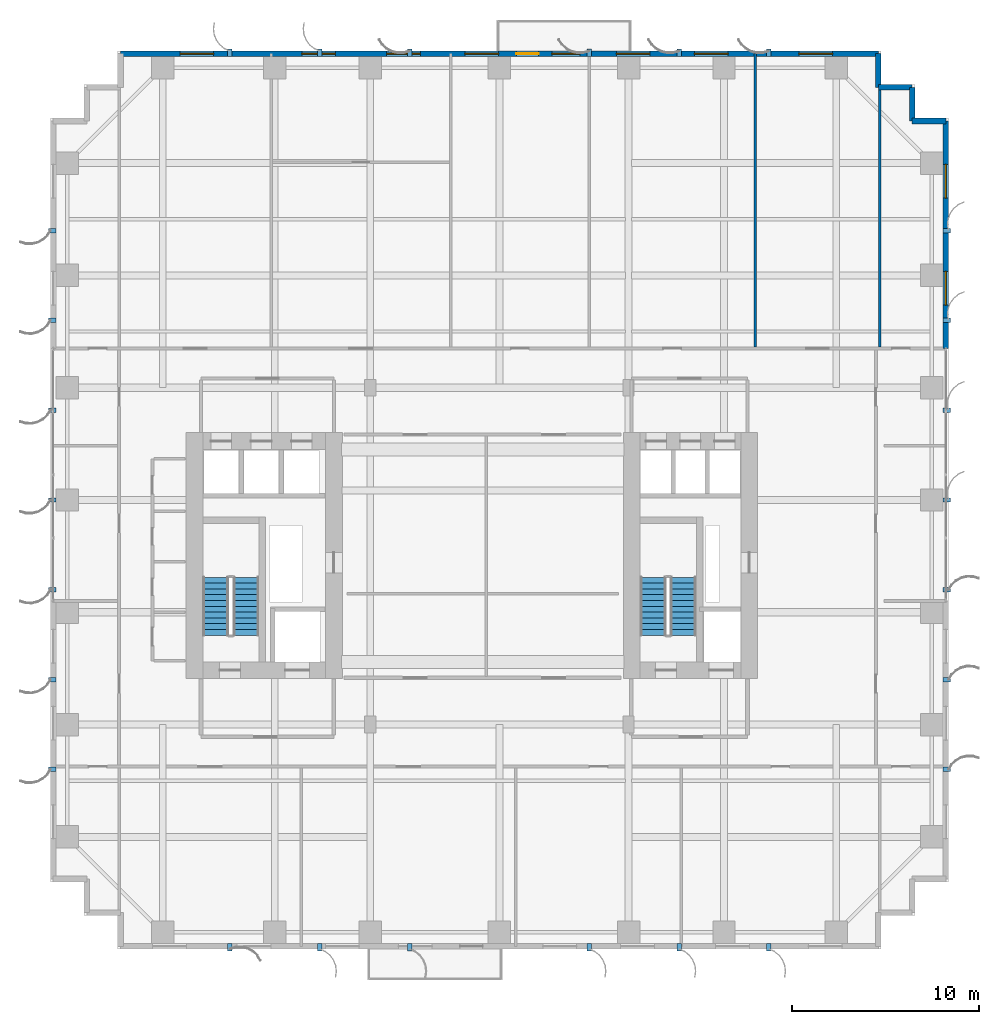
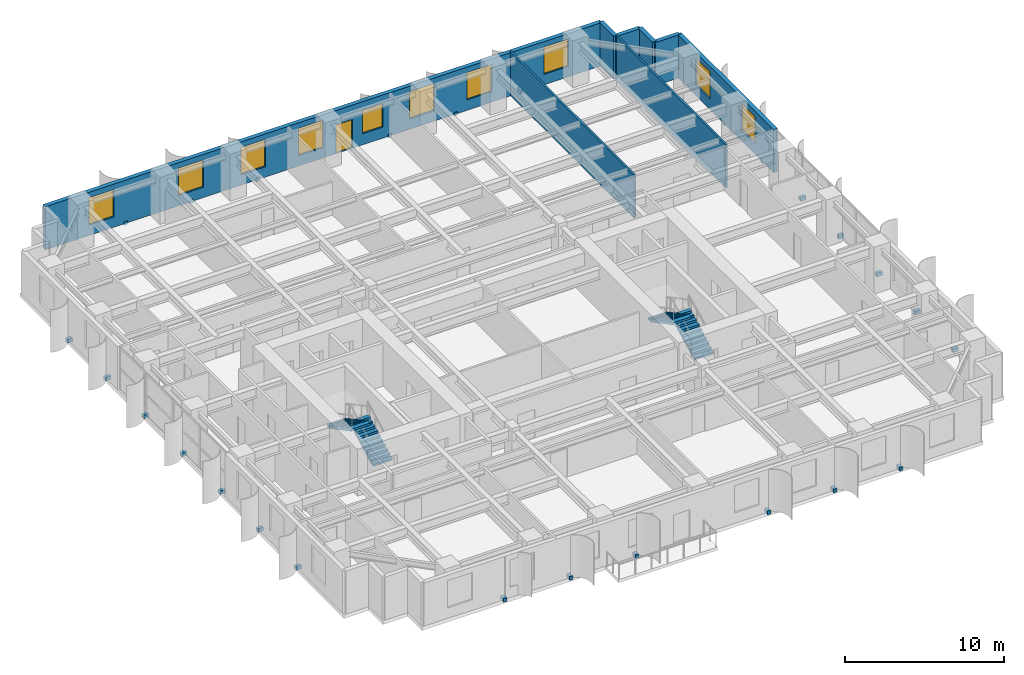
# One storey, part 12 of 16: 26 discrete accessories, 10 windows, 8 walls, 4 stair flights, 1 door, 11 openings, 2 elements without a shape of their own.
"""IFC4 building model written with IfcOpenShell, lengths in metres."""

import ifcopenshell
import ifcopenshell.guid

model = None  # the IFC model being written
_history = None  # IfcOwnerHistory: only IFC2X3 demands one
_inside = {}  # id of a spatial element -> (the spatial element, [elements in it])
_under = {}  # id of a project, library or spatial element -> (it, [spatial elements below it])
_declared = {}  # id of a project -> (the project, [libraries it declares])
_typed = {}  # id of a type object -> (the type object, [elements of that type])
_made_of = {}  # id of a material, layer set ... -> (it, [elements and type objects made of it])


def new_model(schema):
    """Start an empty IFC model of exactly this schema.

    Asked for "IFC4X3", IfcOpenShell would pick the latest addendum, in which some entities
    have other attributes; the version numbers below select the first issue.
    IFC2X3 requires an IfcOwnerHistory on every rooted entity: one is made here for all.
    """
    global model, _history
    if schema == "IFC4X3":
        model = ifcopenshell.file(schema_version=(4, 3, 0, 0))
    else:
        model = ifcopenshell.file(schema=schema)
    _inside.clear()
    _under.clear()
    _declared.clear()
    _typed.clear()
    _made_of.clear()
    _history = None
    if model.schema == "IFC2X3":
        org = make("IfcOrganization", Name="unknown")
        user = make(
            "IfcPersonAndOrganization",
            ThePerson=make("IfcPerson", FamilyName="unknown"),
            TheOrganization=org,
        )
        app = make(
            "IfcApplication",
            ApplicationDeveloper=org,
            Version="unknown",
            ApplicationFullName="unknown",
            ApplicationIdentifier="unknown",
        )
        _history = make(
            "IfcOwnerHistory",
            OwningUser=user,
            OwningApplication=app,
            ChangeAction="ADDED",
            CreationDate=0,
        )
    return model


def make(cls, **values):
    """One entity of the class cls with the attributes given. An attribute that is None is left unset."""
    return model.create_entity(
        cls, **{name: value for name, value in values.items() if value is not None}
    )


def rooted(cls, **values):
    """An entity with a GlobalId (a new one), such as an element, a storey or a relation."""
    return make(cls, GlobalId=ifcopenshell.guid.new(), OwnerHistory=_history, **values)


def si_unit(unit_type, name, prefix=None):
    """IfcSIUnit, for example si_unit("LENGTHUNIT", "METRE", prefix="MILLI")."""
    return make("IfcSIUnit", UnitType=unit_type, Prefix=prefix, Name=name)


def assignment(units):
    """IfcUnitAssignment: the units of a project."""
    return None if units is None else make("IfcUnitAssignment", Units=units)


def point(xyz):
    """IfcCartesianPoint."""
    return None if xyz is None else make("IfcCartesianPoint", Coordinates=xyz)


def direction(xyz):
    """IfcDirection."""
    return None if xyz is None else make("IfcDirection", DirectionRatios=xyz)


def frame(location, z_axis=None, x_axis=None):
    """IfcAxis2Placement3D, a coordinate frame: its origin and axes. An axis left out is left unset."""
    return make(
        "IfcAxis2Placement3D",
        Location=point(location),
        Axis=direction(z_axis),
        RefDirection=direction(x_axis),
    )


def frame_2d(location, x_axis=None):
    """IfcAxis2Placement2D, a coordinate frame in the plane: its origin and x axis."""
    return make(
        "IfcAxis2Placement2D", Location=point(location), RefDirection=direction(x_axis)
    )


def origin():
    """The frame at (0, 0, 0) with its axes left unset."""
    return frame((0.0, 0.0, 0.0))


def origin_2d():
    """The frame at (0, 0) in the plane with its x axis left unset."""
    return frame_2d((0.0, 0.0))


def place(relative_to, where):
    """IfcLocalPlacement: puts the frame where relative to a parent placement (None: the world)."""
    return make(
        "IfcLocalPlacement", PlacementRelTo=relative_to, RelativePlacement=where
    )


def context(
    kind, dimensions, precision=None, world=None, true_north=None, identifier=None
):
    """IfcGeometricRepresentationContext, for example the 3D "Model" context."""
    return make(
        "IfcGeometricRepresentationContext",
        ContextIdentifier=identifier,
        ContextType=kind,
        CoordinateSpaceDimension=dimensions,
        Precision=precision,
        WorldCoordinateSystem=world,
        TrueNorth=true_north,
    )


def subcontext(parent, identifier, kind, view, scale=None):
    """IfcGeometricRepresentationSubContext, for example "Body" below "Model"."""
    return make(
        "IfcGeometricRepresentationSubContext",
        ContextIdentifier=identifier,
        ContextType=kind,
        ParentContext=parent,
        TargetScale=scale,
        TargetView=view,
    )


def project(units=None, contexts=None):
    """IfcProject with its units and contexts."""
    return rooted(
        "IfcProject",
        Name="project",
        RepresentationContexts=contexts,
        UnitsInContext=assignment(units),
    )


def spatial(cls, under=None, at=None, **own):
    """A site, building, storey or space (cls), placed at a placement, below another one or the project."""
    s = rooted(cls, ObjectPlacement=at, **own)
    if under is not None:
        _under.setdefault(under.id(), (under, []))[1].append(s)
    return s


def polyline(points):
    """IfcPolyline through the points."""
    return make("IfcPolyline", Points=[point(p) for p in points])


def profile(cls, at=None, kind="AREA", **sizes):
    """A parametric profile (cls). Its sizes go by their IFC names, for example OverallWidth=200.0."""
    return make(cls, ProfileType=kind, Position=at, **sizes)


def rectangle(**sizes):
    """IfcRectangleProfileDef."""
    return profile("IfcRectangleProfileDef", **sizes)


def outline(outer, holes=None, kind="AREA"):
    """IfcArbitraryClosedProfileDef: a profile drawn as a closed curve; with holes, ...WithVoids."""
    if holes is None:
        return make("IfcArbitraryClosedProfileDef", ProfileType=kind, OuterCurve=outer)
    return make(
        "IfcArbitraryProfileDefWithVoids",
        ProfileType=kind,
        OuterCurve=outer,
        InnerCurves=holes,
    )


def extrude(swept, where, along, depth):
    """IfcExtrudedAreaSolid: the profile swept, set in the frame where, extruded along a direction by depth."""
    return make(
        "IfcExtrudedAreaSolid",
        SweptArea=swept,
        Position=where,
        ExtrudedDirection=direction(along),
        Depth=depth,
    )


def shape(context_of_items, identifier, shape_type, items):
    """IfcShapeRepresentation: the items that make up one representation, for example the "Body"."""
    return make(
        "IfcShapeRepresentation",
        ContextOfItems=context_of_items,
        RepresentationIdentifier=identifier,
        RepresentationType=shape_type,
        Items=items,
    )


def source(mapping_origin, context_of_items, identifier, shape_type, items):
    """IfcRepresentationMap: a shape defined once, which mapped items show again and again."""
    return make(
        "IfcRepresentationMap",
        MappingOrigin=mapping_origin,
        MappedRepresentation=shape(context_of_items, identifier, shape_type, items),
    )


def transform(
    local_origin,
    x_axis=None,
    y_axis=None,
    z_axis=None,
    scale=None,
    scale2=None,
    scale3=None,
    uniform=True,
):
    """IfcCartesianTransformationOperator3D, or its non-uniform kind. x_axis, y_axis, z_axis: its Axis1, 2, 3."""
    if uniform:
        return make(
            "IfcCartesianTransformationOperator3D",
            Axis1=direction(x_axis),
            Axis2=direction(y_axis),
            LocalOrigin=point(local_origin),
            Scale=scale,
            Axis3=direction(z_axis),
        )
    return make(
        "IfcCartesianTransformationOperator3DnonUniform",
        Axis1=direction(x_axis),
        Axis2=direction(y_axis),
        LocalOrigin=point(local_origin),
        Scale=scale,
        Axis3=direction(z_axis),
        Scale2=scale2,
        Scale3=scale3,
    )


def mapped(mapping_source, mapping_target):
    """IfcMappedItem: shows the shape of a source again, moved by a transform."""
    return make(
        "IfcMappedItem", MappingSource=mapping_source, MappingTarget=mapping_target
    )


def material(Name=None, Category=None):
    """IfcMaterial."""
    return make("IfcMaterial", Name=Name, Category=Category)


def layer(
    of_material, thickness, ventilated=None, Name=None, Category=None, Priority=None
):
    """IfcMaterialLayer: one layer of a wall or slab, of a material (None: an air gap)."""
    return make(
        "IfcMaterialLayer",
        Material=of_material,
        LayerThickness=thickness,
        IsVentilated=ventilated,
        Name=Name,
        Category=Category,
        Priority=Priority,
    )


def layer_set(layers, Name=None):
    """IfcMaterialLayerSet."""
    return make("IfcMaterialLayerSet", MaterialLayers=layers, LayerSetName=Name)


def made_of(thing, what):
    """Note that an element or type object is made of a material, layer set ...; save() writes the relation."""
    if what is not None:
        _made_of.setdefault(what.id(), (what, []))[1].append(thing)
    return thing


def type_object(cls, material=None, **own):
    """A type object (cls), such as IfcWallType, which elements share."""
    return made_of(rooted(cls, **own), material)


def element(
    cls,
    number,
    at=None,
    inside=None,
    cuts=None,
    type_object=None,
    material=None,
    context=None,
    identifier="Body",
    shape_type=None,
    held_by="IfcProductDefinitionShape",
    body=None,
    shapes=None,
    **own,
):
    """One element of the class cls, such as IfcWall. Its Tag is "e" and its number.

    at: its placement. inside: the storey or other place that contains it. cuts: it is an
    opening in that element (IfcRelVoidsElement). A single representation is given by context,
    identifier, shape_type and body (its items); several are given by shapes. held_by: the class
    of the entity that holds the representations. save() writes the other relations.
    """
    e = rooted(cls, Tag="e%d" % number, ObjectPlacement=at, **own)
    if body is not None:
        shapes = [shape(context, identifier, shape_type, body)]
    if shapes is not None:
        e.Representation = make(held_by, Representations=shapes)
    if inside is not None:
        _inside.setdefault(inside.id(), (inside, []))[1].append(e)
    if cuts is not None:
        rooted(
            "IfcRelVoidsElement", RelatingBuildingElement=cuts, RelatedOpeningElement=e
        )
    if type_object is not None:
        _typed.setdefault(type_object.id(), (type_object, []))[1].append(e)
    return made_of(e, material)


def fill(opening, filler):
    """IfcRelFillsElement: the door or window that sits in an opening."""
    return rooted(
        "IfcRelFillsElement",
        RelatingOpeningElement=opening,
        RelatedBuildingElement=filler,
    )


def aggregate(whole, parts):
    """IfcRelAggregates: a whole, such as a stair, and the parts it consists of."""
    return rooted("IfcRelAggregates", RelatingObject=whole, RelatedObjects=parts)


def save(model, path):
    """Write the relations noted so far, then the file.

    IfcRelAggregates (storeys below a building ...), IfcRelContainedInSpatialStructure (elements
    in a storey), IfcRelDefinesByType, IfcRelAssociatesMaterial and IfcRelDeclares: one each for
    every whole, place, type object, material and project.
    """
    for whole, parts in _under.values():
        aggregate(whole, parts)
    for where, things in _inside.values():
        rooted(
            "IfcRelContainedInSpatialStructure",
            RelatedElements=things,
            RelatingStructure=where,
        )
    for kind, things in _typed.values():
        rooted("IfcRelDefinesByType", RelatedObjects=things, RelatingType=kind)
    for what, things in _made_of.values():
        rooted("IfcRelAssociatesMaterial", RelatedObjects=things, RelatingMaterial=what)
    for by, libraries in _declared.values():
        rooted("IfcRelDeclares", RelatingContext=by, RelatedDefinitions=libraries)
    model.write(path)


model = new_model("IFC4")

# Units and contexts
model_context = context("Model", 3, precision=1e-05, world=origin(), true_north=direction((0.0, 1.0)))
body_context = subcontext(model_context, "Body", "Model", "MODEL_VIEW")
ifc_project = project(units=[si_unit("LENGTHUNIT", "METRE"), si_unit("AREAUNIT", "SQUARE_METRE"), si_unit("VOLUMEUNIT", "CUBIC_METRE"), si_unit("PLANEANGLEUNIT", "RADIAN"), si_unit("MASSUNIT", "GRAM", prefix="KILO")], contexts=[model_context])

# Site, building, storey
site_placement = place(None, origin())
site = spatial("IfcSite", under=ifc_project, at=site_placement, CompositionType="ELEMENT")
building_placement = place(site_placement, origin())
building = spatial("IfcBuilding", under=site, at=building_placement, Name="Khoralis Quay Care Tower", CompositionType="ELEMENT")
storey_placement = place(building_placement, frame((0.0, 0.0, 29.699951171875)))
storey = spatial("IfcBuildingStorey", under=building, at=storey_placement, Name="L07", CompositionType="ELEMENT", Elevation=29.699951171875)

# Wall, openings, windows
ifc_material_1 = material(Name="Precast concrete C45/55", Category="concrete")
ifc_layer_1 = layer(ifc_material_1, 0.300048828125)
ifc_layer_set_1 = layer_set([ifc_layer_1], Name="Precast concrete C45/55")
wall_type_1 = type_object("IfcWallType", Name="WL-EXT-REF-300", PredefinedType="SOLIDWALL", material=ifc_layer_set_1)
wall_1_placement = place(storey_placement, frame((47.85009765625, 32.10009765625, 0.0), z_axis=(0.0, 0.0, 1.0), x_axis=(0.0, 1.0, 0.0)))
wall_1 = element("IfcWall", 1, at=wall_1_placement, inside=storey, type_object=wall_type_1, Name="L07 External Facade Wall WL-EXT-L07-P1-E5B", PredefinedType="SOLIDWALL", context=body_context, shape_type="SweptSolid", body=[
    extrude(rectangle(XDim=12.14990234375, YDim=0.300048828125, at=frame_2d((6.074951171875, 0.0))), origin(), (0.0, 0.0, 1.0), 3.320068359375),
])
opening_1_placement = place(wall_1_placement, frame((2.3173828125, 0.0, 0.800048828125)))
opening_1 = element("IfcOpeningElement", 2, at=opening_1_placement, cuts=wall_1, Name="Opening W2", PredefinedType="OPENING", context=body_context, shape_type="SweptSolid", body=[
    extrude(rectangle(XDim=1.800048828125, YDim=2.10009765625, at=frame_2d((0.89990234375, 1.050048828125))), frame((0.0, 0.16015625, 0.0), z_axis=(0.0, -1.0, 0.0), x_axis=(1.0, 0.0, 0.0)), (0.0, 0.0, 1.0), 0.320068359375),
])
opening_2_placement = place(wall_1_placement, frame((8.032470703125, 0.0, 0.800048828125)))
opening_2 = element("IfcOpeningElement", 3, at=opening_2_placement, cuts=wall_1, Name="Opening W2", PredefinedType="OPENING", context=body_context, shape_type="SweptSolid", body=[
    extrude(rectangle(XDim=1.800048828125, YDim=2.10009765625, at=frame_2d((0.89990234375, 1.050048828125))), frame((0.0, 0.16015625, 0.0), z_axis=(0.0, -1.0, 0.0), x_axis=(1.0, 0.0, 0.0)), (0.0, 0.0, 1.0), 0.320068359375),
])
ifc_material_2 = material(Name="Low-E solar-control double glazing", Category="glass")
window_type_1 = type_object("IfcWindowType", Name="WN-POD-1800X2100", PartitioningType="SINGLE_PANEL", PredefinedType="WINDOW", material=ifc_material_2)
shared_shape_1 = source(origin(), body_context, "Body", "SweptSolid", [
    extrude(rectangle(XDim=1.800048828125, YDim=2.10009765625, at=frame_2d((0.89990234375, 1.050048828125))), frame((0.0, 0.030029296875, 0.0), z_axis=(0.0, -1.0, 0.0), x_axis=(1.0, 0.0, 0.0)), (0.0, 0.0, 1.0), 0.06005859375),
])
window_1_placement = place(opening_1_placement, origin())
window_1 = element("IfcWindow", 4, at=window_1_placement, inside=storey, type_object=window_type_1, Name="WN-L07-P1-E5B Facade Window 01", OverallHeight=2.10009765625, OverallWidth=1.800048828125, PartitioningType="SINGLE_PANEL", PredefinedType="WINDOW", context=body_context, shape_type="MappedRepresentation", body=[
    mapped(shared_shape_1, transform((0.0, 0.0, 0.0), scale=1.0)),
])
fill(opening_1, window_1)
window_2_placement = place(opening_2_placement, origin())
window_2 = element("IfcWindow", 5, at=window_2_placement, inside=storey, type_object=window_type_1, Name="WN-L07-P1-E5B Facade Window 02", OverallHeight=2.10009765625, OverallWidth=1.800048828125, PartitioningType="SINGLE_PANEL", PredefinedType="WINDOW", context=body_context, shape_type="MappedRepresentation", body=[
    mapped(shared_shape_1, transform((0.0, 0.0, 0.0), scale=1.0)),
])
fill(opening_2, window_2)

# Walls
for number, where, z_axis, x_axis, name in (
    (6, (47.85009765625, 44.25, 0.0), (0.0, 0.0, 1.0), (-1.0, 0.0, 0.0), "L07 External Facade Wall WL-EXT-L07-P1-C6"),
    (7, (46.050048828125, 44.25, 0.0), (0.0, 0.0, 1.0), (0.0, 1.0, 0.0), "L07 External Facade Wall WL-EXT-L07-P1-C7"),
    (8, (46.050048828125, 46.050048828125, 0.0), (0.0, 0.0, 1.0), (-1.0, 0.0, 0.0), "L07 External Facade Wall WL-EXT-L07-P1-C8"),
    (9, (44.25, 46.050048828125, 0.0), (0.0, 0.0, 1.0), (0.0, 1.0, 0.0), "L07 External Facade Wall WL-EXT-L07-P1-C9"),
):
    element("IfcWall", number, at=place(storey_placement, frame(where, z_axis=z_axis, x_axis=x_axis)), inside=storey, type_object=wall_type_1, Name=name, PredefinedType="SOLIDWALL", context=body_context, shape_type="SweptSolid", body=[
        extrude(rectangle(XDim=1.800048828125, YDim=0.300048828125, at=frame_2d((0.89990234375, 0.0))), origin(), (0.0, 0.0, 1.0), 3.320068359375),
    ])

# Wall, openings, windows, door
wall_2_placement = place(storey_placement, frame((44.25, 47.85009765625, 0.0), z_axis=(0.0, 0.0, 1.0), x_axis=(-1.0, 0.0, 0.0)))
wall_2 = element("IfcWall", 10, at=wall_2_placement, inside=storey, type_object=wall_type_1, Name="L07 External Facade Wall WL-EXT-L07-P1-E10", PredefinedType="SOLIDWALL", context=body_context, shape_type="SweptSolid", body=[
    extrude(rectangle(XDim=40.5, YDim=0.300048828125, at=frame_2d((20.25, 0.0))), origin(), (0.0, 0.0, 1.0), 3.320068359375),
])
opening_3_placement = place(wall_2_placement, frame((2.445068359375, 0.0, 0.800048828125)))
opening_3 = element("IfcOpeningElement", 11, at=opening_3_placement, cuts=wall_2, Name="Opening W2", PredefinedType="OPENING", context=body_context, shape_type="SweptSolid", body=[
    extrude(rectangle(XDim=1.800048828125, YDim=2.10009765625, at=frame_2d((0.89990234375, 1.050048828125))), frame((0.0, 0.16015625, 0.0), z_axis=(0.0, -1.0, 0.0), x_axis=(1.0, 0.0, 0.0)), (0.0, 0.0, 1.0), 0.320068359375),
])
opening_4_placement = place(wall_2_placement, frame((8.034912109375, 0.0, 0.800048828125)))
opening_4 = element("IfcOpeningElement", 12, at=opening_4_placement, cuts=wall_2, Name="Opening W2", PredefinedType="OPENING", context=body_context, shape_type="SweptSolid", body=[
    extrude(rectangle(XDim=1.800048828125, YDim=2.10009765625, at=frame_2d((0.89990234375, 1.050048828125))), frame((0.0, 0.16015625, 0.0), z_axis=(0.0, -1.0, 0.0), x_axis=(1.0, 0.0, 0.0)), (0.0, 0.0, 1.0), 0.320068359375),
])
opening_5_placement = place(wall_2_placement, frame((12.205078125, 0.0, 0.800048828125)))
opening_5 = element("IfcOpeningElement", 13, at=opening_5_placement, cuts=wall_2, Name="Opening W2", PredefinedType="OPENING", context=body_context, shape_type="SweptSolid", body=[
    extrude(rectangle(XDim=1.800048828125, YDim=2.10009765625, at=frame_2d((0.89990234375, 1.050048828125))), frame((0.0, 0.16015625, 0.0), z_axis=(0.0, -1.0, 0.0), x_axis=(1.0, 0.0, 0.0)), (0.0, 0.0, 1.0), 0.320068359375),
])
opening_6_placement = place(wall_2_placement, frame((15.955078125, 0.0, 0.85009765625)))
opening_6 = element("IfcOpeningElement", 14, at=opening_6_placement, cuts=wall_2, Name="Opening W3", PredefinedType="OPENING", context=body_context, shape_type="SweptSolid", body=[
    extrude(rectangle(XDim=1.5, YDim=1.800048828125, at=frame_2d((0.75, 0.89990234375))), frame((0.0, 0.16015625, 0.0), z_axis=(0.0, -1.0, 0.0), x_axis=(1.0, 0.0, 0.0)), (0.0, 0.0, 1.0), 0.320068359375),
])
opening_7_placement = place(wall_2_placement, frame((20.294921875, 0.0, 0.800048828125)))
opening_7 = element("IfcOpeningElement", 15, at=opening_7_placement, cuts=wall_2, Name="Opening W2", PredefinedType="OPENING", context=body_context, shape_type="SweptSolid", body=[
    extrude(rectangle(XDim=1.800048828125, YDim=2.10009765625, at=frame_2d((0.89990234375, 1.050048828125))), frame((0.0, 0.16015625, 0.0), z_axis=(0.0, -1.0, 0.0), x_axis=(1.0, 0.0, 0.0)), (0.0, 0.0, 1.0), 0.320068359375),
])
opening_8_placement = place(wall_2_placement, frame((24.4775390625, 0.0, 0.800048828125)))
opening_8 = element("IfcOpeningElement", 16, at=opening_8_placement, cuts=wall_2, Name="Opening W2", PredefinedType="OPENING", context=body_context, shape_type="SweptSolid", body=[
    extrude(rectangle(XDim=1.800048828125, YDim=2.10009765625, at=frame_2d((0.89990234375, 1.050048828125))), frame((0.0, 0.16015625, 0.0), z_axis=(0.0, -1.0, 0.0), x_axis=(1.0, 0.0, 0.0)), (0.0, 0.0, 1.0), 0.320068359375),
])
opening_9_placement = place(wall_2_placement, frame((29.012451171875, 0.0, 0.800048828125)))
opening_9 = element("IfcOpeningElement", 17, at=opening_9_placement, cuts=wall_2, Name="Opening W2", PredefinedType="OPENING", context=body_context, shape_type="SweptSolid", body=[
    extrude(rectangle(XDim=1.800048828125, YDim=2.10009765625, at=frame_2d((0.89990234375, 1.050048828125))), frame((0.0, 0.16015625, 0.0), z_axis=(0.0, -1.0, 0.0), x_axis=(1.0, 0.0, 0.0)), (0.0, 0.0, 1.0), 0.320068359375),
])
opening_10_placement = place(wall_2_placement, frame((35.52001953125, 0.0, 0.800048828125)))
opening_10 = element("IfcOpeningElement", 18, at=opening_10_placement, cuts=wall_2, Name="Opening W2", PredefinedType="OPENING", context=body_context, shape_type="SweptSolid", body=[
    extrude(rectangle(XDim=1.800048828125, YDim=2.10009765625, at=frame_2d((0.89990234375, 1.050048828125))), frame((0.0, 0.16015625, 0.0), z_axis=(0.0, -1.0, 0.0), x_axis=(1.0, 0.0, 0.0)), (0.0, 0.0, 1.0), 0.320068359375),
])
opening_11_placement = place(wall_2_placement, frame((18.14990234375, 0.0, 0.0)))
opening_11 = element("IfcOpeningElement", 19, at=opening_11_placement, cuts=wall_2, Name="Opening BD1", PredefinedType="OPENING", context=body_context, shape_type="SweptSolid", body=[
    extrude(rectangle(XDim=1.199951171875, YDim=2.199951171875, at=frame_2d((0.60009765625, 1.10009765625))), frame((0.0, 0.16015625, 0.0), z_axis=(0.0, -1.0, 0.0), x_axis=(1.0, 0.0, 0.0)), (0.0, 0.0, 1.0), 0.320068359375),
])
window_type_2 = type_object("IfcWindowType", Name="WN-CLIN-1500X1800", PartitioningType="SINGLE_PANEL", PredefinedType="WINDOW", material=ifc_material_2)
shared_shape_2 = source(origin(), body_context, "Body", "SweptSolid", [
    extrude(rectangle(XDim=1.5, YDim=1.800048828125, at=frame_2d((0.75, 0.89990234375))), frame((0.0, 0.030029296875, 0.0), z_axis=(0.0, -1.0, 0.0), x_axis=(1.0, 0.0, 0.0)), (0.0, 0.0, 1.0), 0.06005859375),
])
window_3_placement = place(opening_6_placement, origin())
window_3 = element("IfcWindow", 20, at=window_3_placement, inside=storey, type_object=window_type_2, Name="WN-L07-P1-E10 Facade Window 04", OverallHeight=1.800048828125, OverallWidth=1.5, PartitioningType="SINGLE_PANEL", PredefinedType="WINDOW", context=body_context, shape_type="MappedRepresentation", body=[
    mapped(shared_shape_2, transform((0.0, 0.0, 0.0), scale=1.0)),
])
fill(opening_6, window_3)
window_4_placement = place(opening_3_placement, origin())
window_4 = element("IfcWindow", 21, at=window_4_placement, inside=storey, type_object=window_type_1, Name="WN-L07-P1-E10 Facade Window 01", OverallHeight=2.10009765625, OverallWidth=1.800048828125, PartitioningType="SINGLE_PANEL", PredefinedType="WINDOW", context=body_context, shape_type="MappedRepresentation", body=[
    mapped(shared_shape_1, transform((0.0, 0.0, 0.0), scale=1.0)),
])
fill(opening_3, window_4)
window_5_placement = place(opening_4_placement, origin())
window_5 = element("IfcWindow", 22, at=window_5_placement, inside=storey, type_object=window_type_1, Name="WN-L07-P1-E10 Facade Window 02", OverallHeight=2.10009765625, OverallWidth=1.800048828125, PartitioningType="SINGLE_PANEL", PredefinedType="WINDOW", context=body_context, shape_type="MappedRepresentation", body=[
    mapped(shared_shape_1, transform((0.0, 0.0, 0.0), scale=1.0)),
])
fill(opening_4, window_5)
window_6_placement = place(opening_5_placement, origin())
window_6 = element("IfcWindow", 23, at=window_6_placement, inside=storey, type_object=window_type_1, Name="WN-L07-P1-E10 Facade Window 03", OverallHeight=2.10009765625, OverallWidth=1.800048828125, PartitioningType="SINGLE_PANEL", PredefinedType="WINDOW", context=body_context, shape_type="MappedRepresentation", body=[
    mapped(shared_shape_1, transform((0.0, 0.0, 0.0), scale=1.0)),
])
fill(opening_5, window_6)
window_7_placement = place(opening_7_placement, origin())
window_7 = element("IfcWindow", 24, at=window_7_placement, inside=storey, type_object=window_type_1, Name="WN-L07-P1-E10 Facade Window 05", OverallHeight=2.10009765625, OverallWidth=1.800048828125, PartitioningType="SINGLE_PANEL", PredefinedType="WINDOW", context=body_context, shape_type="MappedRepresentation", body=[
    mapped(shared_shape_1, transform((0.0, 0.0, 0.0), scale=1.0)),
])
fill(opening_7, window_7)
window_8_placement = place(opening_8_placement, origin())
window_8 = element("IfcWindow", 25, at=window_8_placement, inside=storey, type_object=window_type_1, Name="WN-L07-P1-E10 Facade Window 06", OverallHeight=2.10009765625, OverallWidth=1.800048828125, PartitioningType="SINGLE_PANEL", PredefinedType="WINDOW", context=body_context, shape_type="MappedRepresentation", body=[
    mapped(shared_shape_1, transform((0.0, 0.0, 0.0), scale=1.0)),
])
fill(opening_8, window_8)
window_9_placement = place(opening_9_placement, origin())
window_9 = element("IfcWindow", 26, at=window_9_placement, inside=storey, type_object=window_type_1, Name="WN-L07-P1-E10 Facade Window 07", OverallHeight=2.10009765625, OverallWidth=1.800048828125, PartitioningType="SINGLE_PANEL", PredefinedType="WINDOW", context=body_context, shape_type="MappedRepresentation", body=[
    mapped(shared_shape_1, transform((0.0, 0.0, 0.0), scale=1.0)),
])
fill(opening_9, window_9)
window_10_placement = place(opening_10_placement, origin())
window_10 = element("IfcWindow", 27, at=window_10_placement, inside=storey, type_object=window_type_1, Name="WN-L07-P1-E10 Facade Window 08", OverallHeight=2.10009765625, OverallWidth=1.800048828125, PartitioningType="SINGLE_PANEL", PredefinedType="WINDOW", context=body_context, shape_type="MappedRepresentation", body=[
    mapped(shared_shape_1, transform((0.0, 0.0, 0.0), scale=1.0)),
])
fill(opening_10, window_10)
ifc_material_3 = material(Name="Anodised aluminium and laminated safety glass", Category="aluminium")
door_type = type_object("IfcDoorType", Name="DR-EXT-BALC-1200X2200", OperationType="NOTDEFINED", PredefinedType="DOOR", material=ifc_material_3)
shared_shape_3 = source(origin(), body_context, "Body", "SweptSolid", [
    extrude(rectangle(XDim=1.199951171875, YDim=2.199951171875, at=frame_2d((0.60009765625, 1.10009765625))), frame((0.0, 0.02490234375, 0.0), z_axis=(0.0, -1.0, 0.0), x_axis=(1.0, 0.0, 0.0)), (0.0, 0.0, 1.0), 0.050048828125),
])
door_placement = place(opening_11_placement, frame((1.199951171875, 0.0, 0.0), z_axis=(0.0, 0.0, 1.0), x_axis=(-1.0, 0.0, 0.0)))
door = element("IfcDoor", 28, at=door_placement, inside=storey, type_object=door_type, Name="L07 Senior Loggia Balcony Door", OperationType="SINGLE_SWING_RIGHT", OverallHeight=2.199951171875, OverallWidth=1.199951171875, PredefinedType="DOOR", context=body_context, shape_type="MappedRepresentation", body=[
    mapped(shared_shape_3, transform((0.0, 0.0, 0.0), scale=1.0)),
])
fill(opening_11, door)

# Walls
ifc_material_4 = material(Name="Gypsum plasterboard on acoustic metal stud")
ifc_layer_2 = layer(ifc_material_4, 0.139892578125)
ifc_layer_set_2 = layer_set([ifc_layer_2], Name="Gypsum plasterboard on acoustic metal stud")
wall_type_2 = type_object("IfcWallType", Name="WL-UNIT-140", PredefinedType="PARTITIONING", material=ifc_layer_set_2)
wall_3_placement = place(storey_placement, frame((37.659912109375, 32.177490234375, 0.0), z_axis=(0.0, 0.0, 1.0), x_axis=(0.0, 1.0, 0.0)))
element("IfcWall", 29, at=wall_3_placement, inside=storey, type_object=wall_type_2, Name="L07 NB Demising Wall 4", PredefinedType="PARTITIONING", context=body_context, shape_type="SweptSolid", body=[
    extrude(rectangle(XDim=15.677490234375, YDim=0.139892578125, at=frame_2d((7.8388671875, 0.0))), origin(), (0.0, 0.0, 1.0), 3.320068359375),
])
wall_4_placement = place(storey_placement, frame((44.320068359375, 32.177490234375, 0.0), z_axis=(0.0, 0.0, 1.0), x_axis=(0.0, 1.0, 0.0)))
element("IfcWall", 30, at=wall_4_placement, inside=storey, type_object=wall_type_2, Name="L07 NB Demising Wall 5", PredefinedType="PARTITIONING", context=body_context, shape_type="SweptSolid", body=[
    extrude(rectangle(XDim=13.87744140625, YDim=0.139892578125, at=frame_2d((6.938720703125, 0.0))), origin(), (0.0, 0.0, 1.0), 3.320068359375),
])

# Stair, stair flights
stair_type = type_object("IfcStairType", Name="ST-TWR-DOGLEG-1400", PredefinedType="HALF_TURN_STAIR", material=ifc_material_1)
stair_1_placement = place(storey_placement, origin())
stair_1 = element("IfcStair", 31, at=stair_1_placement, inside=storey, type_object=stair_type, Name="L07 West Core Exit Stair ST-T1", PredefinedType="HALF_TURN_STAIR")
stair_flight_type = type_object("IfcStairFlightType", Name="SF-TWR-1400", PredefinedType="STRAIGHT", material=ifc_material_1)
shared_shape_4 = source(origin(), body_context, "Body", "SweptSolid", [
    extrude(outline(polyline([(0.0, 0.0), (0.0, 0.16357421875), (0.31005859375, 0.16357421875), (0.31005859375, 0.327392578125), (0.6201171875, 0.327392578125), (0.6201171875, 0.490966796875), (0.929931640625, 0.490966796875), (0.929931640625, 0.654541015625), (1.239990234375, 0.654541015625), (1.239990234375, 0.818115234375), (1.550048828125, 0.818115234375), (1.550048828125, 0.98193359375), (1.860107421875, 0.98193359375), (1.860107421875, 1.1455078125), (2.169921875, 1.1455078125), (2.169921875, 1.30908203125), (2.47998046875, 1.30908203125), (2.47998046875, 1.47265625), (2.7900390625, 1.47265625), (2.7900390625, 1.636474609375), (3.10009765625, 1.636474609375), (3.10009765625, 1.800048828125), (3.10009765625, 1.466796875), (0.321044921875, 0.0), (0.0, 0.0)])), frame((0.0, 0.68994140625, 0.0), z_axis=(0.0, -1.0, 0.0), x_axis=(1.0, 0.0, 0.0)), (0.0, 0.0, 1.0), 1.3798828125),
])
stair_flight_1_placement = place(storey_placement, frame((10.4599609375, 16.77001953125, 0.0), z_axis=(0.0, 0.0, 1.0), x_axis=(0.0, 1.0, 0.0)))
stair_flight_1 = element("IfcStairFlight", 32, at=stair_flight_1_placement, type_object=stair_flight_type, Name="ST-T1 flight 1", NumberOfRisers=11, NumberOfTreads=10, PredefinedType="STRAIGHT", RiserHeight=0.163636364, TreadLength=0.31, context=body_context, shape_type="MappedRepresentation", body=[
    mapped(shared_shape_4, transform((0.0, 0.0, 0.0), scale=1.0)),
])
stair_flight_2_placement = place(storey_placement, frame((8.840087890625, 19.8701171875, 1.800048828125), z_axis=(0.0, 0.0, 1.0), x_axis=(0.0, -1.0, 0.0)))
stair_flight_2 = element("IfcStairFlight", 33, at=stair_flight_2_placement, type_object=stair_flight_type, Name="ST-T1 flight 2", NumberOfRisers=11, NumberOfTreads=10, PredefinedType="STRAIGHT", RiserHeight=0.163636364, TreadLength=0.31, context=body_context, shape_type="MappedRepresentation", body=[
    mapped(shared_shape_4, transform((0.0, 0.0, 0.0), scale=1.0)),
])
aggregate(stair_1, [stair_flight_1, stair_flight_2])

stair_2_placement = place(storey_placement, origin())
stair_2 = element("IfcStair", 34, at=stair_2_placement, inside=storey, type_object=stair_type, Name="L07 East Core Exit Stair ST-T2", PredefinedType="HALF_TURN_STAIR")
stair_flight_3_placement = place(storey_placement, frame((33.830078125, 16.77001953125, 0.0), z_axis=(0.0, 0.0, 1.0), x_axis=(0.0, 1.0, 0.0)))
stair_flight_3 = element("IfcStairFlight", 35, at=stair_flight_3_placement, type_object=stair_flight_type, Name="ST-T2 flight 1", NumberOfRisers=11, NumberOfTreads=10, PredefinedType="STRAIGHT", RiserHeight=0.163636364, TreadLength=0.31, context=body_context, shape_type="MappedRepresentation", body=[
    mapped(shared_shape_4, transform((0.0, 0.0, 0.0), scale=1.0)),
])
stair_flight_4_placement = place(storey_placement, frame((32.2099609375, 19.8701171875, 1.800048828125), z_axis=(0.0, 0.0, 1.0), x_axis=(0.0, -1.0, 0.0)))
stair_flight_4 = element("IfcStairFlight", 36, at=stair_flight_4_placement, type_object=stair_flight_type, Name="ST-T2 flight 2", NumberOfRisers=11, NumberOfTreads=10, PredefinedType="STRAIGHT", RiserHeight=0.163636364, TreadLength=0.31, context=body_context, shape_type="MappedRepresentation", body=[
    mapped(shared_shape_4, transform((0.0, 0.0, 0.0), scale=1.0)),
])
aggregate(stair_2, [stair_flight_3, stair_flight_4])

# Discrete accessories
ifc_material_5 = material(Name="Brushed stainless steel", Category="steel")
discrete_accessory_type = type_object("IfcDiscreteAccessoryType", Name="ACC-FIN-BRACKET", PredefinedType="BRACKET", material=ifc_material_5)
shared_shape_5 = source(origin(), body_context, "Body", "SweptSolid", [
    extrude(rectangle(XDim=0.39990234375, YDim=0.239990234375, at=origin_2d()), origin(), (0.0, 0.0, 1.0), 0.280029296875),
])
for number, where, z_axis, x_axis, name in (
    (37, (9.60009765625, 0.110107421875, -0.1201171875), (0.0, 0.0, 1.0), (0.0, -1.0, 0.0), "L07 Solar Fin Bracket P1E0-01"),
    (38, (14.39990234375, 0.110107421875, -0.1201171875), (0.0, 0.0, 1.0), (0.0, -1.0, 0.0), "L07 Solar Fin Bracket P1E0-02"),
    (39, (19.199951171875, 0.110107421875, -0.1201171875), (0.0, 0.0, 1.0), (0.0, -1.0, 0.0), "L07 Solar Fin Bracket P1E0-03"),
    (40, (28.800048828125, 0.110107421875, -0.1201171875), (0.0, 0.0, 1.0), (0.0, -1.0, 0.0), "L07 Solar Fin Bracket P1E0-05"),
    (41, (33.60009765625, 0.110107421875, -0.1201171875), (0.0, 0.0, 1.0), (0.0, -1.0, 0.0), "L07 Solar Fin Bracket P1E0-06"),
    (42, (38.39990234375, 0.110107421875, -0.1201171875), (0.0, 0.0, 1.0), (0.0, -1.0, 0.0), "L07 Solar Fin Bracket P1E0-07"),
    (43, (47.889892578125, 9.60009765625, -0.1201171875), (0.0, 0.0, 1.0), (1.0, 0.0, 0.0), "L07 Solar Fin Bracket P1E5-01"),
    (44, (47.889892578125, 14.39990234375, -0.1201171875), (0.0, 0.0, 1.0), (1.0, 0.0, 0.0), "L07 Solar Fin Bracket P1E5-02"),
    (45, (47.889892578125, 19.199951171875, -0.1201171875), (0.0, 0.0, 1.0), (1.0, 0.0, 0.0), "L07 Solar Fin Bracket P1E5-03"),
    (46, (47.889892578125, 24.0, -0.1201171875), (0.0, 0.0, 1.0), (1.0, 0.0, 0.0), "L07 Solar Fin Bracket P1E5-04"),
    (47, (47.889892578125, 28.800048828125, -0.1201171875), (0.0, 0.0, 1.0), (1.0, 0.0, 0.0), "L07 Solar Fin Bracket P1E5-05"),
    (48, (47.889892578125, 33.60009765625, -0.1201171875), (0.0, 0.0, 1.0), (1.0, 0.0, 0.0), "L07 Solar Fin Bracket P1E5-06"),
    (49, (47.889892578125, 38.39990234375, -0.1201171875), (0.0, 0.0, 1.0), (1.0, 0.0, 0.0), "L07 Solar Fin Bracket P1E5-07"),
    (50, (38.39990234375, 47.889892578125, -0.1201171875), (0.0, 0.0, 1.0), (0.0, 1.0, 0.0), "L07 Solar Fin Bracket P1E10-01"),
    (51, (33.60009765625, 47.889892578125, -0.1201171875), (0.0, 0.0, 1.0), (0.0, 1.0, 0.0), "L07 Solar Fin Bracket P1E10-02"),
    (52, (28.800048828125, 47.889892578125, -0.1201171875), (0.0, 0.0, 1.0), (0.0, 1.0, 0.0), "L07 Solar Fin Bracket P1E10-03"),
    (53, (19.199951171875, 47.889892578125, -0.1201171875), (0.0, 0.0, 1.0), (0.0, 1.0, 0.0), "L07 Solar Fin Bracket P1E10-05"),
    (54, (14.39990234375, 47.889892578125, -0.1201171875), (0.0, 0.0, 1.0), (0.0, 1.0, 0.0), "L07 Solar Fin Bracket P1E10-06"),
    (55, (9.60009765625, 47.889892578125, -0.1201171875), (0.0, 0.0, 1.0), (0.0, 1.0, 0.0), "L07 Solar Fin Bracket P1E10-07"),
    (56, (0.110107421875, 38.39990234375, -0.1201171875), (0.0, 0.0, 1.0), (-1.0, 0.0, 0.0), "L07 Solar Fin Bracket P1E15-01"),
    (57, (0.110107421875, 33.60009765625, -0.1201171875), (0.0, 0.0, 1.0), (-1.0, 0.0, 0.0), "L07 Solar Fin Bracket P1E15-02"),
    (58, (0.110107421875, 28.800048828125, -0.1201171875), (0.0, 0.0, 1.0), (-1.0, 0.0, 0.0), "L07 Solar Fin Bracket P1E15-03"),
    (59, (0.110107421875, 24.0, -0.1201171875), (0.0, 0.0, 1.0), (-1.0, 0.0, 0.0), "L07 Solar Fin Bracket P1E15-04"),
    (60, (0.110107421875, 19.199951171875, -0.1201171875), (0.0, 0.0, 1.0), (-1.0, 0.0, 0.0), "L07 Solar Fin Bracket P1E15-05"),
    (61, (0.110107421875, 14.39990234375, -0.1201171875), (0.0, 0.0, 1.0), (-1.0, 0.0, 0.0), "L07 Solar Fin Bracket P1E15-06"),
    (62, (0.110107421875, 9.60009765625, -0.1201171875), (0.0, 0.0, 1.0), (-1.0, 0.0, 0.0), "L07 Solar Fin Bracket P1E15-07"),
):
    element("IfcDiscreteAccessory", number, at=place(storey_placement, frame(where, z_axis=z_axis, x_axis=x_axis)), inside=storey, type_object=discrete_accessory_type, Name=name, PredefinedType="BRACKET", context=body_context, shape_type="MappedRepresentation", body=[
        mapped(shared_shape_5, transform((0.0, 0.0, 0.0), scale=1.0)),
    ])

save(model, "model.ifc")
